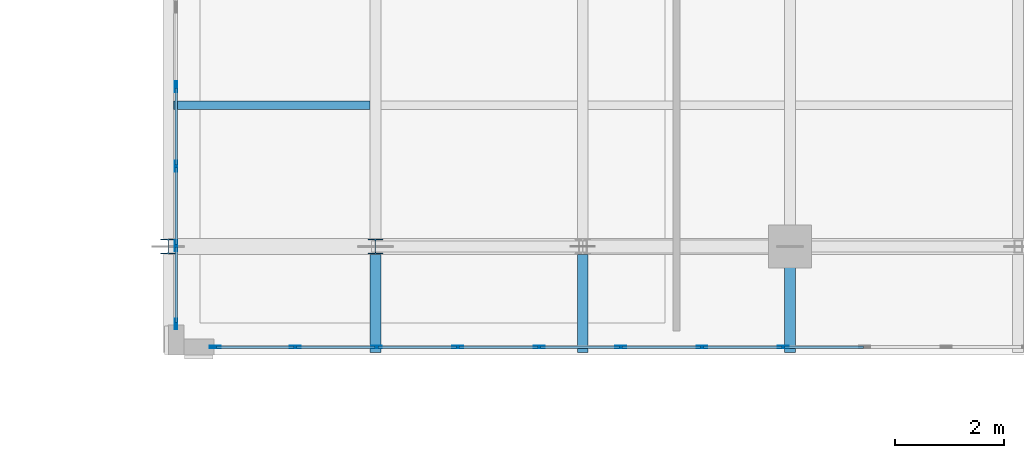
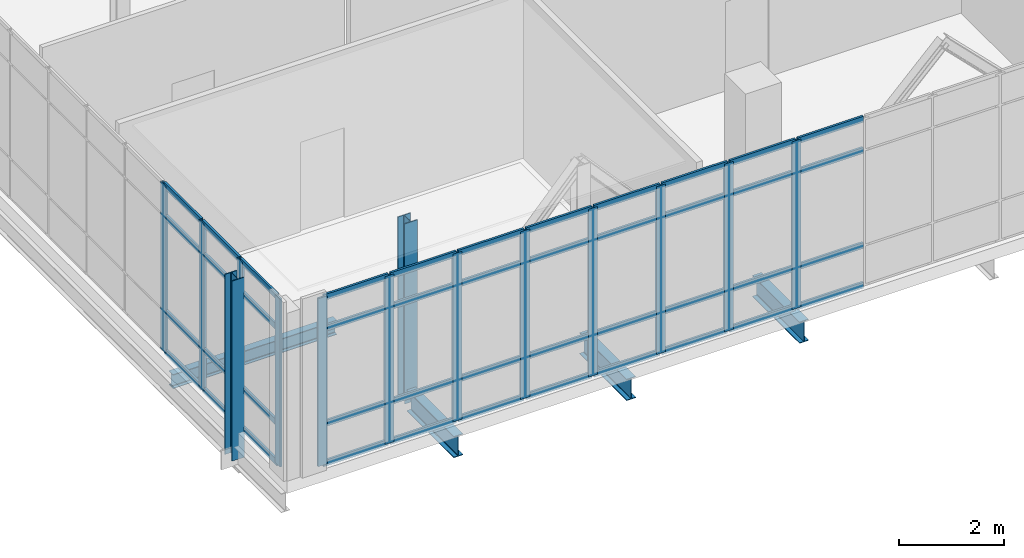
# One storey, part 2 of 165: 58 members, 4 beams, 2 elements without a shape of their own.
"""IFC4 building model written with IfcOpenShell, lengths in metres."""

from ifc_helpers import new_model, si_unit, direction, frame, origin, origin_2d, place, context, subcontext, project, spatial, hollow_rectangle, i_section, extrude, material, layer, layer_set, material_profile, profile_set, type_object, element, aggregate, save


model = new_model("IFC4")

# Units and contexts
model_context = context("Model", 3, precision=1e-05, world=origin(), true_north=direction((0.0, 1.0)))
body_context = subcontext(model_context, "Body", "Model", "MODEL_VIEW")
ifc_project = project(units=[si_unit("LENGTHUNIT", "METRE"), si_unit("AREAUNIT", "SQUARE_METRE"), si_unit("VOLUMEUNIT", "CUBIC_METRE"), si_unit("PLANEANGLEUNIT", "RADIAN"), si_unit("MASSUNIT", "GRAM", prefix="KILO")], contexts=[model_context])

# Site, building, storey
site_placement = place(None, origin())
site = spatial("IfcSite", under=ifc_project, at=site_placement, CompositionType="ELEMENT")
building_placement = place(site_placement, origin())
building = spatial("IfcBuilding", under=site, at=building_placement, Name="Qalavern Law Courts", CompositionType="ELEMENT")
storey_placement = place(building_placement, frame((0.0, 0.0, 14.39990234375)))
storey = spatial("IfcBuildingStorey", under=building, at=storey_placement, Name="L03", CompositionType="ELEMENT", Elevation=14.39990234375)

# Curtain wall, members
ifc_material_1 = material(Name="Anodised aluminium and insulated glazing", Category="aluminium")
ifc_layer = layer(ifc_material_1, 0.199951171875)
ifc_layer_set = layer_set([ifc_layer], Name="Anodised aluminium and insulated glazing")
curtain_wall_type = type_object("IfcCurtainWallType", Name="ENV-CW-FOYER", PredefinedType="USERDEFINED", material=ifc_layer_set)
curtain_wall_1_placement = place(storey_placement, origin())
curtain_wall_1 = element("IfcCurtainWall", 1, at=curtain_wall_1_placement, inside=storey, type_object=curtain_wall_type, Name="V1 unitised curtain wall L03 south 1", ObjectType="UNITISED CURTAIN WALL", PredefinedType="USERDEFINED")
ifc_material_2 = material(Name="Anodised aluminium", Category="aluminium")
ifc_material_profile_1 = material_profile(ifc_material_2, hollow_rectangle(XDim=0.048095703125, YDim=0.199951171875, WallThickness=0.00439453125, at=origin_2d()), Name="ALU MULLION 48x200")
ifc_profile_set_1 = profile_set([ifc_material_profile_1], Name="Anodised aluminium")
member_type_1 = type_object("IfcMemberType", Name="ENV-CWM-48x200", PredefinedType="MULLION", material=ifc_profile_set_1)
member_1_placement = place(storey_placement, frame((6.214111328125, 8.1474609375, 0.0), z_axis=(0.0, 0.0, 1.0), x_axis=(0.0, 1.0, 0.0)))
member_1 = element("IfcMember", 2, at=member_1_placement, type_object=member_type_1, Name="CW-01 mullion 1", PredefinedType="MULLION", context=body_context, shape_type="SweptSolid", body=[
    extrude(hollow_rectangle(XDim=0.048095703125, YDim=0.199951171875, WallThickness=0.00439453125, at=origin_2d()), origin(), (0.0, 0.0, 1.0), 3.920166015625),
])
member_2_placement = place(storey_placement, frame((7.688232421875, 8.1474609375, 0.0), z_axis=(0.0, 0.0, 1.0), x_axis=(0.0, 1.0, 0.0)))
member_2 = element("IfcMember", 3, at=member_2_placement, type_object=member_type_1, Name="CW-01 mullion 2", PredefinedType="MULLION", context=body_context, shape_type="SweptSolid", body=[
    extrude(hollow_rectangle(XDim=0.048095703125, YDim=0.199951171875, WallThickness=0.00439453125, at=origin_2d()), origin(), (0.0, 0.0, 1.0), 3.920166015625),
])
member_3_placement = place(storey_placement, frame((9.186767578125, 8.1474609375, 0.0), z_axis=(0.0, 0.0, 1.0), x_axis=(0.0, 1.0, 0.0)))
member_3 = element("IfcMember", 4, at=member_3_placement, type_object=member_type_1, Name="CW-01 mullion 3", PredefinedType="MULLION", context=body_context, shape_type="SweptSolid", body=[
    extrude(hollow_rectangle(XDim=0.048095703125, YDim=0.199951171875, WallThickness=0.00439453125, at=origin_2d()), origin(), (0.0, 0.0, 1.0), 3.920166015625),
])
member_4_placement = place(storey_placement, frame((10.68505859375, 8.1474609375, 0.0), z_axis=(0.0, 0.0, 1.0), x_axis=(0.0, 1.0, 0.0)))
member_4 = element("IfcMember", 5, at=member_4_placement, type_object=member_type_1, Name="CW-01 mullion 4", PredefinedType="MULLION", context=body_context, shape_type="SweptSolid", body=[
    extrude(hollow_rectangle(XDim=0.048095703125, YDim=0.199951171875, WallThickness=0.00439453125, at=origin_2d()), origin(), (0.0, 0.0, 1.0), 3.920166015625),
])
member_5_placement = place(storey_placement, frame((12.183349609375, 8.1474609375, 0.0), z_axis=(0.0, 0.0, 1.0), x_axis=(0.0, 1.0, 0.0)))
member_5 = element("IfcMember", 6, at=member_5_placement, type_object=member_type_1, Name="CW-01 mullion 5", PredefinedType="MULLION", context=body_context, shape_type="SweptSolid", body=[
    extrude(hollow_rectangle(XDim=0.048095703125, YDim=0.199951171875, WallThickness=0.00439453125, at=origin_2d()), origin(), (0.0, 0.0, 1.0), 3.920166015625),
])
member_6_placement = place(storey_placement, frame((13.681640625, 8.1474609375, 0.0), z_axis=(0.0, 0.0, 1.0), x_axis=(0.0, 1.0, 0.0)))
member_6 = element("IfcMember", 7, at=member_6_placement, type_object=member_type_1, Name="CW-01 mullion 6", PredefinedType="MULLION", context=body_context, shape_type="SweptSolid", body=[
    extrude(hollow_rectangle(XDim=0.048095703125, YDim=0.199951171875, WallThickness=0.00439453125, at=origin_2d()), origin(), (0.0, 0.0, 1.0), 3.920166015625),
])
member_7_placement = place(storey_placement, frame((15.179931640625, 8.1474609375, 0.0), z_axis=(0.0, 0.0, 1.0), x_axis=(0.0, 1.0, 0.0)))
member_7 = element("IfcMember", 8, at=member_7_placement, type_object=member_type_1, Name="CW-01 mullion 7", PredefinedType="MULLION", context=body_context, shape_type="SweptSolid", body=[
    extrude(hollow_rectangle(XDim=0.048095703125, YDim=0.199951171875, WallThickness=0.00439453125, at=origin_2d()), origin(), (0.0, 0.0, 1.0), 3.920166015625),
])
member_8_placement = place(storey_placement, frame((16.67822265625, 8.1474609375, 0.0), z_axis=(0.0, 0.0, 1.0), x_axis=(0.0, 1.0, 0.0)))
member_8 = element("IfcMember", 9, at=member_8_placement, type_object=member_type_1, Name="CW-01 mullion 8", PredefinedType="MULLION", context=body_context, shape_type="SweptSolid", body=[
    extrude(hollow_rectangle(XDim=0.048095703125, YDim=0.199951171875, WallThickness=0.00439453125, at=origin_2d()), origin(), (0.0, 0.0, 1.0), 3.920166015625),
])

curtain_wall_2_placement = place(storey_placement, origin())
curtain_wall_2 = element("IfcCurtainWall", 10, at=curtain_wall_2_placement, inside=storey, type_object=curtain_wall_type, Name="V1 unitised curtain wall L03 west 1", ObjectType="UNITISED CURTAIN WALL", PredefinedType="USERDEFINED")
member_9_placement = place(storey_placement, frame((5.49755859375, 12.944091796875, 0.0), z_axis=(0.0, 0.0, 1.0), x_axis=(1.0, 0.0, 0.0)))
member_9 = element("IfcMember", 11, at=member_9_placement, type_object=member_type_1, Name="CW-01 mullion 15", PredefinedType="MULLION", context=body_context, shape_type="SweptSolid", body=[
    extrude(hollow_rectangle(XDim=0.048095703125, YDim=0.199951171875, WallThickness=0.00439453125, at=origin_2d()), origin(), (0.0, 0.0, 1.0), 3.920166015625),
])
member_10_placement = place(storey_placement, frame((5.49755859375, 11.4794921875, 0.0), z_axis=(0.0, 0.0, 1.0), x_axis=(1.0, 0.0, 0.0)))
member_10 = element("IfcMember", 12, at=member_10_placement, type_object=member_type_1, Name="CW-01 mullion 16", PredefinedType="MULLION", context=body_context, shape_type="SweptSolid", body=[
    extrude(hollow_rectangle(XDim=0.048095703125, YDim=0.199951171875, WallThickness=0.00439453125, at=origin_2d()), origin(), (0.0, 0.0, 1.0), 3.920166015625),
])
member_11_placement = place(storey_placement, frame((5.49755859375, 10.0146484375, 0.0), z_axis=(0.0, 0.0, 1.0), x_axis=(1.0, 0.0, 0.0)))
member_11 = element("IfcMember", 13, at=member_11_placement, type_object=member_type_1, Name="CW-01 mullion 17", PredefinedType="MULLION", context=body_context, shape_type="SweptSolid", body=[
    extrude(hollow_rectangle(XDim=0.048095703125, YDim=0.199951171875, WallThickness=0.00439453125, at=origin_2d()), origin(), (0.0, 0.0, 1.0), 3.920166015625),
])
member_12_placement = place(storey_placement, frame((5.49755859375, 8.573974609375, 0.0), z_axis=(0.0, 0.0, 1.0), x_axis=(1.0, 0.0, 0.0)))
member_12 = element("IfcMember", 14, at=member_12_placement, type_object=member_type_1, Name="CW-01 mullion 18", PredefinedType="MULLION", context=body_context, shape_type="SweptSolid", body=[
    extrude(hollow_rectangle(XDim=0.048095703125, YDim=0.199951171875, WallThickness=0.00439453125, at=origin_2d()), origin(), (0.0, 0.0, 1.0), 3.920166015625),
])

# Member
ifc_material_profile_2 = material_profile(ifc_material_2, hollow_rectangle(XDim=0.048095703125, YDim=0.139892578125, WallThickness=0.00390625, at=origin_2d()), Name="ALU TRANSOM 48x140")
ifc_profile_set_2 = profile_set([ifc_material_profile_2], Name="Anodised aluminium")
member_type_2 = type_object("IfcMemberType", Name="ENV-CWT-48x140", PredefinedType="USERDEFINED", material=ifc_profile_set_2)
member_13_placement = place(storey_placement, frame((6.238037109375, 8.1474609375, 0.024169921875), z_axis=(1.0, 0.0, 0.0), x_axis=(0.0, 1.0, 0.0)))
member_13 = element("IfcMember", 15, at=member_13_placement, type_object=member_type_2, Name="CW-01 transom 1.1", ObjectType="TRANSOM", PredefinedType="USERDEFINED", context=body_context, shape_type="SweptSolid", body=[
    extrude(hollow_rectangle(XDim=0.048095703125, YDim=0.139892578125, WallThickness=0.00390625, at=origin_2d()), origin(), (0.0, 0.0, 1.0), 1.42626953125),
])

member_14_placement = place(storey_placement, frame((6.238037109375, 8.1474609375, 0.9501953125), z_axis=(1.0, 0.0, 0.0), x_axis=(0.0, 1.0, 0.0)))
member_14 = element("IfcMember", 16, at=member_14_placement, type_object=member_type_2, Name="CW-01 transom 1.2", ObjectType="TRANSOM", PredefinedType="USERDEFINED", context=body_context, shape_type="SweptSolid", body=[
    extrude(hollow_rectangle(XDim=0.048095703125, YDim=0.139892578125, WallThickness=0.00390625, at=origin_2d()), origin(), (0.0, 0.0, 1.0), 1.42626953125),
])

member_15_placement = place(storey_placement, frame((6.238037109375, 8.1474609375, 3.170166015625), z_axis=(1.0, 0.0, 0.0), x_axis=(0.0, 1.0, 0.0)))
member_15 = element("IfcMember", 17, at=member_15_placement, type_object=member_type_2, Name="CW-01 transom 1.3", ObjectType="TRANSOM", PredefinedType="USERDEFINED", context=body_context, shape_type="SweptSolid", body=[
    extrude(hollow_rectangle(XDim=0.048095703125, YDim=0.139892578125, WallThickness=0.00390625, at=origin_2d()), origin(), (0.0, 0.0, 1.0), 1.42626953125),
])

member_16_placement = place(storey_placement, frame((6.238037109375, 8.1474609375, 3.89599609375), z_axis=(1.0, 0.0, 0.0), x_axis=(0.0, 1.0, 0.0)))
member_16 = element("IfcMember", 18, at=member_16_placement, type_object=member_type_2, Name="CW-01 transom 1.4", ObjectType="TRANSOM", PredefinedType="USERDEFINED", context=body_context, shape_type="SweptSolid", body=[
    extrude(hollow_rectangle(XDim=0.048095703125, YDim=0.139892578125, WallThickness=0.00390625, at=origin_2d()), origin(), (0.0, 0.0, 1.0), 1.42626953125),
])

member_17_placement = place(storey_placement, frame((7.71240234375, 8.1474609375, 0.024169921875), z_axis=(1.0, 0.0, 0.0), x_axis=(0.0, 1.0, 0.0)))
member_17 = element("IfcMember", 19, at=member_17_placement, type_object=member_type_2, Name="CW-01 transom 2.1", ObjectType="TRANSOM", PredefinedType="USERDEFINED", context=body_context, shape_type="SweptSolid", body=[
    extrude(hollow_rectangle(XDim=0.048095703125, YDim=0.139892578125, WallThickness=0.00390625, at=origin_2d()), origin(), (0.0, 0.0, 1.0), 1.4501953125),
])

member_18_placement = place(storey_placement, frame((7.71240234375, 8.1474609375, 0.9501953125), z_axis=(1.0, 0.0, 0.0), x_axis=(0.0, 1.0, 0.0)))
member_18 = element("IfcMember", 20, at=member_18_placement, type_object=member_type_2, Name="CW-01 transom 2.2", ObjectType="TRANSOM", PredefinedType="USERDEFINED", context=body_context, shape_type="SweptSolid", body=[
    extrude(hollow_rectangle(XDim=0.048095703125, YDim=0.139892578125, WallThickness=0.00390625, at=origin_2d()), origin(), (0.0, 0.0, 1.0), 1.4501953125),
])

member_19_placement = place(storey_placement, frame((7.71240234375, 8.1474609375, 3.170166015625), z_axis=(1.0, 0.0, 0.0), x_axis=(0.0, 1.0, 0.0)))
member_19 = element("IfcMember", 21, at=member_19_placement, type_object=member_type_2, Name="CW-01 transom 2.3", ObjectType="TRANSOM", PredefinedType="USERDEFINED", context=body_context, shape_type="SweptSolid", body=[
    extrude(hollow_rectangle(XDim=0.048095703125, YDim=0.139892578125, WallThickness=0.00390625, at=origin_2d()), origin(), (0.0, 0.0, 1.0), 1.4501953125),
])

member_20_placement = place(storey_placement, frame((7.71240234375, 8.1474609375, 3.89599609375), z_axis=(1.0, 0.0, 0.0), x_axis=(0.0, 1.0, 0.0)))
member_20 = element("IfcMember", 22, at=member_20_placement, type_object=member_type_2, Name="CW-01 transom 2.4", ObjectType="TRANSOM", PredefinedType="USERDEFINED", context=body_context, shape_type="SweptSolid", body=[
    extrude(hollow_rectangle(XDim=0.048095703125, YDim=0.139892578125, WallThickness=0.00390625, at=origin_2d()), origin(), (0.0, 0.0, 1.0), 1.4501953125),
])

member_21_placement = place(storey_placement, frame((9.210693359375, 8.1474609375, 0.024169921875), z_axis=(1.0, 0.0, 0.0), x_axis=(0.0, 1.0, 0.0)))
member_21 = element("IfcMember", 23, at=member_21_placement, type_object=member_type_2, Name="CW-01 transom 3.1", ObjectType="TRANSOM", PredefinedType="USERDEFINED", context=body_context, shape_type="SweptSolid", body=[
    extrude(hollow_rectangle(XDim=0.048095703125, YDim=0.139892578125, WallThickness=0.00390625, at=origin_2d()), origin(), (0.0, 0.0, 1.0), 1.4501953125),
])

member_22_placement = place(storey_placement, frame((9.210693359375, 8.1474609375, 0.9501953125), z_axis=(1.0, 0.0, 0.0), x_axis=(0.0, 1.0, 0.0)))
member_22 = element("IfcMember", 24, at=member_22_placement, type_object=member_type_2, Name="CW-01 transom 3.2", ObjectType="TRANSOM", PredefinedType="USERDEFINED", context=body_context, shape_type="SweptSolid", body=[
    extrude(hollow_rectangle(XDim=0.048095703125, YDim=0.139892578125, WallThickness=0.00390625, at=origin_2d()), origin(), (0.0, 0.0, 1.0), 1.4501953125),
])

member_23_placement = place(storey_placement, frame((9.210693359375, 8.1474609375, 3.170166015625), z_axis=(1.0, 0.0, 0.0), x_axis=(0.0, 1.0, 0.0)))
member_23 = element("IfcMember", 25, at=member_23_placement, type_object=member_type_2, Name="CW-01 transom 3.3", ObjectType="TRANSOM", PredefinedType="USERDEFINED", context=body_context, shape_type="SweptSolid", body=[
    extrude(hollow_rectangle(XDim=0.048095703125, YDim=0.139892578125, WallThickness=0.00390625, at=origin_2d()), origin(), (0.0, 0.0, 1.0), 1.4501953125),
])

member_24_placement = place(storey_placement, frame((9.210693359375, 8.1474609375, 3.89599609375), z_axis=(1.0, 0.0, 0.0), x_axis=(0.0, 1.0, 0.0)))
member_24 = element("IfcMember", 26, at=member_24_placement, type_object=member_type_2, Name="CW-01 transom 3.4", ObjectType="TRANSOM", PredefinedType="USERDEFINED", context=body_context, shape_type="SweptSolid", body=[
    extrude(hollow_rectangle(XDim=0.048095703125, YDim=0.139892578125, WallThickness=0.00390625, at=origin_2d()), origin(), (0.0, 0.0, 1.0), 1.4501953125),
])

member_25_placement = place(storey_placement, frame((10.708984375, 8.1474609375, 0.024169921875), z_axis=(1.0, 0.0, 0.0), x_axis=(0.0, 1.0, 0.0)))
member_25 = element("IfcMember", 27, at=member_25_placement, type_object=member_type_2, Name="CW-01 transom 4.1", ObjectType="TRANSOM", PredefinedType="USERDEFINED", context=body_context, shape_type="SweptSolid", body=[
    extrude(hollow_rectangle(XDim=0.048095703125, YDim=0.139892578125, WallThickness=0.00390625, at=origin_2d()), origin(), (0.0, 0.0, 1.0), 1.450439453125),
])

member_26_placement = place(storey_placement, frame((10.708984375, 8.1474609375, 0.9501953125), z_axis=(1.0, 0.0, 0.0), x_axis=(0.0, 1.0, 0.0)))
member_26 = element("IfcMember", 28, at=member_26_placement, type_object=member_type_2, Name="CW-01 transom 4.2", ObjectType="TRANSOM", PredefinedType="USERDEFINED", context=body_context, shape_type="SweptSolid", body=[
    extrude(hollow_rectangle(XDim=0.048095703125, YDim=0.139892578125, WallThickness=0.00390625, at=origin_2d()), origin(), (0.0, 0.0, 1.0), 1.450439453125),
])

member_27_placement = place(storey_placement, frame((10.708984375, 8.1474609375, 3.170166015625), z_axis=(1.0, 0.0, 0.0), x_axis=(0.0, 1.0, 0.0)))
member_27 = element("IfcMember", 29, at=member_27_placement, type_object=member_type_2, Name="CW-01 transom 4.3", ObjectType="TRANSOM", PredefinedType="USERDEFINED", context=body_context, shape_type="SweptSolid", body=[
    extrude(hollow_rectangle(XDim=0.048095703125, YDim=0.139892578125, WallThickness=0.00390625, at=origin_2d()), origin(), (0.0, 0.0, 1.0), 1.450439453125),
])

member_28_placement = place(storey_placement, frame((10.708984375, 8.1474609375, 3.89599609375), z_axis=(1.0, 0.0, 0.0), x_axis=(0.0, 1.0, 0.0)))
member_28 = element("IfcMember", 30, at=member_28_placement, type_object=member_type_2, Name="CW-01 transom 4.4", ObjectType="TRANSOM", PredefinedType="USERDEFINED", context=body_context, shape_type="SweptSolid", body=[
    extrude(hollow_rectangle(XDim=0.048095703125, YDim=0.139892578125, WallThickness=0.00390625, at=origin_2d()), origin(), (0.0, 0.0, 1.0), 1.450439453125),
])

member_29_placement = place(storey_placement, frame((12.207275390625, 8.1474609375, 0.024169921875), z_axis=(1.0, 0.0, 0.0), x_axis=(0.0, 1.0, 0.0)))
member_29 = element("IfcMember", 31, at=member_29_placement, type_object=member_type_2, Name="CW-01 transom 5.1", ObjectType="TRANSOM", PredefinedType="USERDEFINED", context=body_context, shape_type="SweptSolid", body=[
    extrude(hollow_rectangle(XDim=0.048095703125, YDim=0.139892578125, WallThickness=0.00390625, at=origin_2d()), origin(), (0.0, 0.0, 1.0), 1.450439453125),
])

member_30_placement = place(storey_placement, frame((12.207275390625, 8.1474609375, 0.9501953125), z_axis=(1.0, 0.0, 0.0), x_axis=(0.0, 1.0, 0.0)))
member_30 = element("IfcMember", 32, at=member_30_placement, type_object=member_type_2, Name="CW-01 transom 5.2", ObjectType="TRANSOM", PredefinedType="USERDEFINED", context=body_context, shape_type="SweptSolid", body=[
    extrude(hollow_rectangle(XDim=0.048095703125, YDim=0.139892578125, WallThickness=0.00390625, at=origin_2d()), origin(), (0.0, 0.0, 1.0), 1.450439453125),
])

member_31_placement = place(storey_placement, frame((12.207275390625, 8.1474609375, 3.170166015625), z_axis=(1.0, 0.0, 0.0), x_axis=(0.0, 1.0, 0.0)))
member_31 = element("IfcMember", 33, at=member_31_placement, type_object=member_type_2, Name="CW-01 transom 5.3", ObjectType="TRANSOM", PredefinedType="USERDEFINED", context=body_context, shape_type="SweptSolid", body=[
    extrude(hollow_rectangle(XDim=0.048095703125, YDim=0.139892578125, WallThickness=0.00390625, at=origin_2d()), origin(), (0.0, 0.0, 1.0), 1.450439453125),
])

member_32_placement = place(storey_placement, frame((12.207275390625, 8.1474609375, 3.89599609375), z_axis=(1.0, 0.0, 0.0), x_axis=(0.0, 1.0, 0.0)))
member_32 = element("IfcMember", 34, at=member_32_placement, type_object=member_type_2, Name="CW-01 transom 5.4", ObjectType="TRANSOM", PredefinedType="USERDEFINED", context=body_context, shape_type="SweptSolid", body=[
    extrude(hollow_rectangle(XDim=0.048095703125, YDim=0.139892578125, WallThickness=0.00390625, at=origin_2d()), origin(), (0.0, 0.0, 1.0), 1.450439453125),
])

member_33_placement = place(storey_placement, frame((13.70556640625, 8.1474609375, 0.024169921875), z_axis=(1.0, 0.0, 0.0), x_axis=(0.0, 1.0, 0.0)))
member_33 = element("IfcMember", 35, at=member_33_placement, type_object=member_type_2, Name="CW-01 transom 6.1", ObjectType="TRANSOM", PredefinedType="USERDEFINED", context=body_context, shape_type="SweptSolid", body=[
    extrude(hollow_rectangle(XDim=0.048095703125, YDim=0.139892578125, WallThickness=0.00390625, at=origin_2d()), origin(), (0.0, 0.0, 1.0), 1.450439453125),
])

member_34_placement = place(storey_placement, frame((13.70556640625, 8.1474609375, 0.9501953125), z_axis=(1.0, 0.0, 0.0), x_axis=(0.0, 1.0, 0.0)))
member_34 = element("IfcMember", 36, at=member_34_placement, type_object=member_type_2, Name="CW-01 transom 6.2", ObjectType="TRANSOM", PredefinedType="USERDEFINED", context=body_context, shape_type="SweptSolid", body=[
    extrude(hollow_rectangle(XDim=0.048095703125, YDim=0.139892578125, WallThickness=0.00390625, at=origin_2d()), origin(), (0.0, 0.0, 1.0), 1.450439453125),
])

member_35_placement = place(storey_placement, frame((13.70556640625, 8.1474609375, 3.170166015625), z_axis=(1.0, 0.0, 0.0), x_axis=(0.0, 1.0, 0.0)))
member_35 = element("IfcMember", 37, at=member_35_placement, type_object=member_type_2, Name="CW-01 transom 6.3", ObjectType="TRANSOM", PredefinedType="USERDEFINED", context=body_context, shape_type="SweptSolid", body=[
    extrude(hollow_rectangle(XDim=0.048095703125, YDim=0.139892578125, WallThickness=0.00390625, at=origin_2d()), origin(), (0.0, 0.0, 1.0), 1.450439453125),
])

member_36_placement = place(storey_placement, frame((13.70556640625, 8.1474609375, 3.89599609375), z_axis=(1.0, 0.0, 0.0), x_axis=(0.0, 1.0, 0.0)))
member_36 = element("IfcMember", 38, at=member_36_placement, type_object=member_type_2, Name="CW-01 transom 6.4", ObjectType="TRANSOM", PredefinedType="USERDEFINED", context=body_context, shape_type="SweptSolid", body=[
    extrude(hollow_rectangle(XDim=0.048095703125, YDim=0.139892578125, WallThickness=0.00390625, at=origin_2d()), origin(), (0.0, 0.0, 1.0), 1.450439453125),
])

member_37_placement = place(storey_placement, frame((15.2041015625, 8.1474609375, 0.024169921875), z_axis=(1.0, 0.0, 0.0), x_axis=(0.0, 1.0, 0.0)))
member_37 = element("IfcMember", 39, at=member_37_placement, type_object=member_type_2, Name="CW-01 transom 7.1", ObjectType="TRANSOM", PredefinedType="USERDEFINED", context=body_context, shape_type="SweptSolid", body=[
    extrude(hollow_rectangle(XDim=0.048095703125, YDim=0.139892578125, WallThickness=0.00390625, at=origin_2d()), origin(), (0.0, 0.0, 1.0), 1.4501953125),
])

member_38_placement = place(storey_placement, frame((15.2041015625, 8.1474609375, 0.9501953125), z_axis=(1.0, 0.0, 0.0), x_axis=(0.0, 1.0, 0.0)))
member_38 = element("IfcMember", 40, at=member_38_placement, type_object=member_type_2, Name="CW-01 transom 7.2", ObjectType="TRANSOM", PredefinedType="USERDEFINED", context=body_context, shape_type="SweptSolid", body=[
    extrude(hollow_rectangle(XDim=0.048095703125, YDim=0.139892578125, WallThickness=0.00390625, at=origin_2d()), origin(), (0.0, 0.0, 1.0), 1.4501953125),
])

member_39_placement = place(storey_placement, frame((15.2041015625, 8.1474609375, 3.170166015625), z_axis=(1.0, 0.0, 0.0), x_axis=(0.0, 1.0, 0.0)))
member_39 = element("IfcMember", 41, at=member_39_placement, type_object=member_type_2, Name="CW-01 transom 7.3", ObjectType="TRANSOM", PredefinedType="USERDEFINED", context=body_context, shape_type="SweptSolid", body=[
    extrude(hollow_rectangle(XDim=0.048095703125, YDim=0.139892578125, WallThickness=0.00390625, at=origin_2d()), origin(), (0.0, 0.0, 1.0), 1.4501953125),
])

member_40_placement = place(storey_placement, frame((15.2041015625, 8.1474609375, 3.89599609375), z_axis=(1.0, 0.0, 0.0), x_axis=(0.0, 1.0, 0.0)))
member_40 = element("IfcMember", 42, at=member_40_placement, type_object=member_type_2, Name="CW-01 transom 7.4", ObjectType="TRANSOM", PredefinedType="USERDEFINED", context=body_context, shape_type="SweptSolid", body=[
    extrude(hollow_rectangle(XDim=0.048095703125, YDim=0.139892578125, WallThickness=0.00390625, at=origin_2d()), origin(), (0.0, 0.0, 1.0), 1.4501953125),
])

member_41_placement = place(storey_placement, frame((16.702392578125, 8.1474609375, 0.024169921875), z_axis=(1.0, 0.0, 0.0), x_axis=(0.0, 1.0, 0.0)))
member_41 = element("IfcMember", 43, at=member_41_placement, type_object=member_type_2, Name="CW-01 transom 8.1", ObjectType="TRANSOM", PredefinedType="USERDEFINED", context=body_context, shape_type="SweptSolid", body=[
    extrude(hollow_rectangle(XDim=0.048095703125, YDim=0.139892578125, WallThickness=0.00390625, at=origin_2d()), origin(), (0.0, 0.0, 1.0), 1.4501953125),
])

member_42_placement = place(storey_placement, frame((16.702392578125, 8.1474609375, 0.9501953125), z_axis=(1.0, 0.0, 0.0), x_axis=(0.0, 1.0, 0.0)))
member_42 = element("IfcMember", 44, at=member_42_placement, type_object=member_type_2, Name="CW-01 transom 8.2", ObjectType="TRANSOM", PredefinedType="USERDEFINED", context=body_context, shape_type="SweptSolid", body=[
    extrude(hollow_rectangle(XDim=0.048095703125, YDim=0.139892578125, WallThickness=0.00390625, at=origin_2d()), origin(), (0.0, 0.0, 1.0), 1.4501953125),
])

member_43_placement = place(storey_placement, frame((16.702392578125, 8.1474609375, 3.170166015625), z_axis=(1.0, 0.0, 0.0), x_axis=(0.0, 1.0, 0.0)))
member_43 = element("IfcMember", 45, at=member_43_placement, type_object=member_type_2, Name="CW-01 transom 8.3", ObjectType="TRANSOM", PredefinedType="USERDEFINED", context=body_context, shape_type="SweptSolid", body=[
    extrude(hollow_rectangle(XDim=0.048095703125, YDim=0.139892578125, WallThickness=0.00390625, at=origin_2d()), origin(), (0.0, 0.0, 1.0), 1.4501953125),
])

member_44_placement = place(storey_placement, frame((16.702392578125, 8.1474609375, 3.89599609375), z_axis=(1.0, 0.0, 0.0), x_axis=(0.0, 1.0, 0.0)))
member_44 = element("IfcMember", 46, at=member_44_placement, type_object=member_type_2, Name="CW-01 transom 8.4", ObjectType="TRANSOM", PredefinedType="USERDEFINED", context=body_context, shape_type="SweptSolid", body=[
    extrude(hollow_rectangle(XDim=0.048095703125, YDim=0.139892578125, WallThickness=0.00390625, at=origin_2d()), origin(), (0.0, 0.0, 1.0), 1.4501953125),
])

aggregate(curtain_wall_1, [member_1, member_2, member_3, member_4, member_5, member_6, member_7, member_8, member_13, member_14, member_15, member_16, member_17, member_18, member_19, member_20, member_21, member_22, member_23, member_24, member_25, member_26, member_27, member_28, member_29, member_30, member_31, member_32, member_33, member_34, member_35, member_36, member_37, member_38, member_39, member_40, member_41, member_42, member_43, member_44])

member_45_placement = place(storey_placement, frame((5.49755859375, 12.920166015625, 0.024169921875), z_axis=(0.0, -1.0, 0.0), x_axis=(1.0, 0.0, 0.0)))
member_45 = element("IfcMember", 47, at=member_45_placement, type_object=member_type_2, Name="CW-01 transom 15.1", ObjectType="TRANSOM", PredefinedType="USERDEFINED", context=body_context, shape_type="SweptSolid", body=[
    extrude(hollow_rectangle(XDim=0.048095703125, YDim=0.139892578125, WallThickness=0.00390625, at=origin_2d()), origin(), (0.0, 0.0, 1.0), 1.416748046875),
])

member_46_placement = place(storey_placement, frame((5.49755859375, 12.920166015625, 0.9501953125), z_axis=(0.0, -1.0, 0.0), x_axis=(1.0, 0.0, 0.0)))
member_46 = element("IfcMember", 48, at=member_46_placement, type_object=member_type_2, Name="CW-01 transom 15.2", ObjectType="TRANSOM", PredefinedType="USERDEFINED", context=body_context, shape_type="SweptSolid", body=[
    extrude(hollow_rectangle(XDim=0.048095703125, YDim=0.139892578125, WallThickness=0.00390625, at=origin_2d()), origin(), (0.0, 0.0, 1.0), 1.416748046875),
])

member_47_placement = place(storey_placement, frame((5.49755859375, 12.920166015625, 3.170166015625), z_axis=(0.0, -1.0, 0.0), x_axis=(1.0, 0.0, 0.0)))
member_47 = element("IfcMember", 49, at=member_47_placement, type_object=member_type_2, Name="CW-01 transom 15.3", ObjectType="TRANSOM", PredefinedType="USERDEFINED", context=body_context, shape_type="SweptSolid", body=[
    extrude(hollow_rectangle(XDim=0.048095703125, YDim=0.139892578125, WallThickness=0.00390625, at=origin_2d()), origin(), (0.0, 0.0, 1.0), 1.416748046875),
])

member_48_placement = place(storey_placement, frame((5.49755859375, 12.920166015625, 3.89599609375), z_axis=(0.0, -1.0, 0.0), x_axis=(1.0, 0.0, 0.0)))
member_48 = element("IfcMember", 50, at=member_48_placement, type_object=member_type_2, Name="CW-01 transom 15.4", ObjectType="TRANSOM", PredefinedType="USERDEFINED", context=body_context, shape_type="SweptSolid", body=[
    extrude(hollow_rectangle(XDim=0.048095703125, YDim=0.139892578125, WallThickness=0.00390625, at=origin_2d()), origin(), (0.0, 0.0, 1.0), 1.416748046875),
])

member_49_placement = place(storey_placement, frame((5.49755859375, 11.455322265625, 0.024169921875), z_axis=(0.0, -1.0, 0.0), x_axis=(1.0, 0.0, 0.0)))
member_49 = element("IfcMember", 51, at=member_49_placement, type_object=member_type_2, Name="CW-01 transom 16.1", ObjectType="TRANSOM", PredefinedType="USERDEFINED", context=body_context, shape_type="SweptSolid", body=[
    extrude(hollow_rectangle(XDim=0.048095703125, YDim=0.139892578125, WallThickness=0.00390625, at=origin_2d()), origin(), (0.0, 0.0, 1.0), 1.41650390625),
])

member_50_placement = place(storey_placement, frame((5.49755859375, 11.455322265625, 0.9501953125), z_axis=(0.0, -1.0, 0.0), x_axis=(1.0, 0.0, 0.0)))
member_50 = element("IfcMember", 52, at=member_50_placement, type_object=member_type_2, Name="CW-01 transom 16.2", ObjectType="TRANSOM", PredefinedType="USERDEFINED", context=body_context, shape_type="SweptSolid", body=[
    extrude(hollow_rectangle(XDim=0.048095703125, YDim=0.139892578125, WallThickness=0.00390625, at=origin_2d()), origin(), (0.0, 0.0, 1.0), 1.41650390625),
])

member_51_placement = place(storey_placement, frame((5.49755859375, 11.455322265625, 3.170166015625), z_axis=(0.0, -1.0, 0.0), x_axis=(1.0, 0.0, 0.0)))
member_51 = element("IfcMember", 53, at=member_51_placement, type_object=member_type_2, Name="CW-01 transom 16.3", ObjectType="TRANSOM", PredefinedType="USERDEFINED", context=body_context, shape_type="SweptSolid", body=[
    extrude(hollow_rectangle(XDim=0.048095703125, YDim=0.139892578125, WallThickness=0.00390625, at=origin_2d()), origin(), (0.0, 0.0, 1.0), 1.41650390625),
])

member_52_placement = place(storey_placement, frame((5.49755859375, 11.455322265625, 3.89599609375), z_axis=(0.0, -1.0, 0.0), x_axis=(1.0, 0.0, 0.0)))
member_52 = element("IfcMember", 54, at=member_52_placement, type_object=member_type_2, Name="CW-01 transom 16.4", ObjectType="TRANSOM", PredefinedType="USERDEFINED", context=body_context, shape_type="SweptSolid", body=[
    extrude(hollow_rectangle(XDim=0.048095703125, YDim=0.139892578125, WallThickness=0.00390625, at=origin_2d()), origin(), (0.0, 0.0, 1.0), 1.41650390625),
])

member_53_placement = place(storey_placement, frame((5.49755859375, 9.99072265625, 0.024169921875), z_axis=(0.0, -1.0, 0.0), x_axis=(1.0, 0.0, 0.0)))
member_53 = element("IfcMember", 55, at=member_53_placement, type_object=member_type_2, Name="CW-01 transom 17.1", ObjectType="TRANSOM", PredefinedType="USERDEFINED", context=body_context, shape_type="SweptSolid", body=[
    extrude(hollow_rectangle(XDim=0.048095703125, YDim=0.139892578125, WallThickness=0.00390625, at=origin_2d()), origin(), (0.0, 0.0, 1.0), 1.392822265625),
])

member_54_placement = place(storey_placement, frame((5.49755859375, 9.99072265625, 0.9501953125), z_axis=(0.0, -1.0, 0.0), x_axis=(1.0, 0.0, 0.0)))
member_54 = element("IfcMember", 56, at=member_54_placement, type_object=member_type_2, Name="CW-01 transom 17.2", ObjectType="TRANSOM", PredefinedType="USERDEFINED", context=body_context, shape_type="SweptSolid", body=[
    extrude(hollow_rectangle(XDim=0.048095703125, YDim=0.139892578125, WallThickness=0.00390625, at=origin_2d()), origin(), (0.0, 0.0, 1.0), 1.392822265625),
])

member_55_placement = place(storey_placement, frame((5.49755859375, 9.99072265625, 3.170166015625), z_axis=(0.0, -1.0, 0.0), x_axis=(1.0, 0.0, 0.0)))
member_55 = element("IfcMember", 57, at=member_55_placement, type_object=member_type_2, Name="CW-01 transom 17.3", ObjectType="TRANSOM", PredefinedType="USERDEFINED", context=body_context, shape_type="SweptSolid", body=[
    extrude(hollow_rectangle(XDim=0.048095703125, YDim=0.139892578125, WallThickness=0.00390625, at=origin_2d()), origin(), (0.0, 0.0, 1.0), 1.392822265625),
])

member_56_placement = place(storey_placement, frame((5.49755859375, 9.99072265625, 3.89599609375), z_axis=(0.0, -1.0, 0.0), x_axis=(1.0, 0.0, 0.0)))
member_56 = element("IfcMember", 58, at=member_56_placement, type_object=member_type_2, Name="CW-01 transom 17.4", ObjectType="TRANSOM", PredefinedType="USERDEFINED", context=body_context, shape_type="SweptSolid", body=[
    extrude(hollow_rectangle(XDim=0.048095703125, YDim=0.139892578125, WallThickness=0.00390625, at=origin_2d()), origin(), (0.0, 0.0, 1.0), 1.392822265625),
])

aggregate(curtain_wall_2, [member_9, member_10, member_11, member_12, member_45, member_46, member_47, member_48, member_49, member_50, member_51, member_52, member_53, member_54, member_55, member_56])

# Beams
ifc_material_3 = material(Name="Steel S355", Category="steel")
ifc_material_profile_3 = material_profile(ifc_material_3, i_section(OverallWidth=0.199951171875, OverallDepth=0.5, WebThickness=0.01025390625, FlangeThickness=0.01611328125, FilletRadius=0.02099609375, at=origin_2d()), Name="IPE 500")
ifc_profile_set_3 = profile_set([ifc_material_profile_3], Name="Steel S355")
beam_type_1 = type_object("IfcBeamType", Name="STR-BM-IPE500", PredefinedType="BEAM", material=ifc_profile_set_3)
for number, where, z_axis, x_axis, name in (
    (59, (16.800048828125, 8.050048828125, -0.534912109375), (0.0, 1.0, 0.0), (-1.0, 0.0, 0.0), "Foyer transverse beam L03-5.1"),
    (60, (12.9833984375, 8.050048828125, -0.534912109375), (0.0, 1.0, 0.0), (-1.0, 0.0, 0.0), "Foyer transverse beam L03-6.1"),
    (61, (9.166748046875, 8.050048828125, -0.534912109375), (0.0, 1.0, 0.0), (-1.0, 0.0, 0.0), "Foyer transverse beam L03-7.1"),
):
    element("IfcBeam", number, at=place(storey_placement, frame(where, z_axis=z_axis, x_axis=x_axis)), inside=storey, type_object=beam_type_1, Name=name, PredefinedType="BEAM", context=body_context, shape_type="SweptSolid", body=[
        extrude(i_section(OverallWidth=0.199951171875, OverallDepth=0.5, WebThickness=0.01025390625, FlangeThickness=0.01611328125, FilletRadius=0.02099609375, at=origin_2d()), origin(), (0.0, 0.0, 1.0), 1.802001953125),
    ])
ifc_material_profile_4 = material_profile(ifc_material_3, i_section(OverallWidth=0.159912109375, OverallDepth=0.330078125, WebThickness=0.007568359375, FlangeThickness=0.011474609375, FilletRadius=0.01806640625, at=origin_2d()), Name="IPE 330")
ifc_profile_set_4 = profile_set([ifc_material_profile_4], Name="Steel S355")
beam_type_2 = type_object("IfcBeamType", Name="STR-JST-IPE330", PredefinedType="JOIST", material=ifc_profile_set_4)
beam_placement = place(storey_placement, frame((5.447998046875, 12.60009765625, -0.449951171875), z_axis=(1.0, 0.0, 0.0), x_axis=(0.0, 1.0, 0.0)))
element("IfcBeam", 62, at=beam_placement, inside=storey, type_object=beam_type_2, Name="Foyer floor joist L03-7.1", PredefinedType="JOIST", context=body_context, shape_type="SweptSolid", body=[
    extrude(i_section(OverallWidth=0.159912109375, OverallDepth=0.330078125, WebThickness=0.007568359375, FlangeThickness=0.011474609375, FilletRadius=0.01806640625, at=origin_2d()), origin(), (0.0, 0.0, 1.0), 3.62060546875),
])

# Members
ifc_material_profile_5 = material_profile(ifc_material_3, i_section(OverallWidth=0.280029296875, OverallDepth=0.280029296875, WebThickness=0.010498046875, FlangeThickness=0.01806640625, FilletRadius=0.02392578125, at=origin_2d()), Name="HEB 280")
ifc_profile_set_5 = profile_set([ifc_material_profile_5], Name="Steel S355")
member_type_3 = type_object("IfcMemberType", Name="STR-POST-HEB280", PredefinedType="POST", material=ifc_profile_set_5)
for number, where, z_axis, x_axis, name in (
    (63, (9.166748046875, 10.0, -0.60986328125), (0.0, 0.0, 1.0), (1.0, 0.0, 0.0), "Cantilever truss T1 post L03-2"),
    (64, (5.35009765625, 10.0, -0.60986328125), (0.0, 0.0, 1.0), (1.0, 0.0, 0.0), "Cantilever truss T1 post L03-3"),
):
    element("IfcMember", number, at=place(storey_placement, frame(where, z_axis=z_axis, x_axis=x_axis)), inside=storey, type_object=member_type_3, Name=name, PredefinedType="POST", context=body_context, shape_type="SweptSolid", body=[
        extrude(i_section(OverallWidth=0.280029296875, OverallDepth=0.280029296875, WebThickness=0.010498046875, FlangeThickness=0.01806640625, FilletRadius=0.02392578125, at=origin_2d()), origin(), (0.0, 0.0, 1.0), 4.205078125),
    ])

save(model, "model.ifc")
